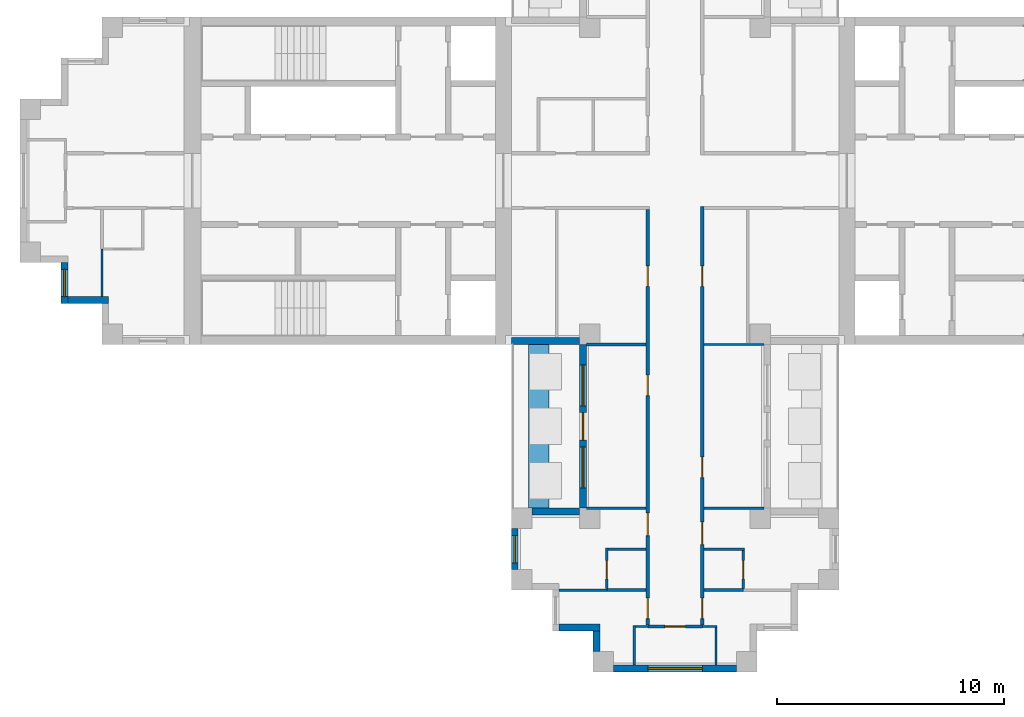
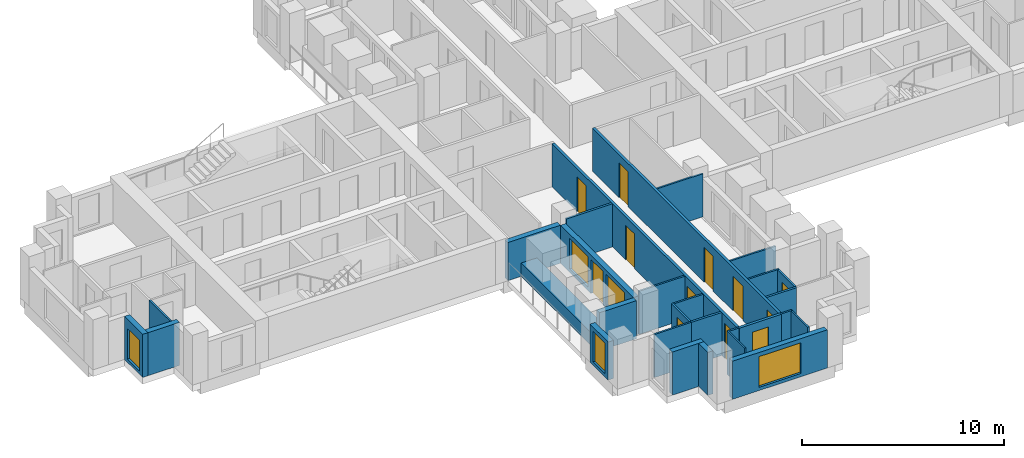
# One storey, part 2 of 10: 29 walls, 12 doors, 5 windows, 17 openings.
"""IFC4 building model written with IfcOpenShell, lengths in metres."""

from ifc_helpers import new_model, si_unit, direction, frame, frame_2d, origin, place, context, subcontext, project, spatial, rectangle, extrude, material, layer, layer_set, type_object, element, fill, save


model = new_model("IFC4")

# Units and contexts
model_context = context("Model", 3, precision=1e-05, world=origin(), true_north=direction((0.0, 1.0)))
body_context = subcontext(model_context, "Body", "Model", "MODEL_VIEW")
ifc_project = project(units=[si_unit("LENGTHUNIT", "METRE"), si_unit("AREAUNIT", "SQUARE_METRE"), si_unit("VOLUMEUNIT", "CUBIC_METRE"), si_unit("PLANEANGLEUNIT", "RADIAN"), si_unit("MASSUNIT", "GRAM", prefix="KILO")], contexts=[model_context])

# Site, building, storey
site_placement = place(None, origin())
site = spatial("IfcSite", under=ifc_project, at=site_placement, CompositionType="ELEMENT")
building_placement = place(site_placement, origin())
building = spatial("IfcBuilding", under=site, at=building_placement, Name="Fustian Cross Tower", CompositionType="ELEMENT")
storey_placement = place(building_placement, frame((0.0, 0.0, 228.89990234375)))
storey = spatial("IfcBuildingStorey", under=building, at=storey_placement, Name="L72", CompositionType="ELEMENT", Elevation=228.89990234375)

# Wall, openings, doors
ifc_material_1 = material(Name="Plasterboard on steel stud", Category="steel")
ifc_layer_1 = layer(ifc_material_1, 0.14990234375)
ifc_layer_set_1 = layer_set([ifc_layer_1], Name="Plasterboard on steel stud")
wall_type_1 = type_object("IfcWallType", Name="COMPARTMENT WALL 150 EI 60", PredefinedType="PARTITIONING", material=ifc_layer_set_1)
wall_1_placement = place(storey_placement, frame((-1.199951171875, -19.52490234375, 0.0), z_axis=(0.0, 0.0, 1.0), x_axis=(0.0, 1.0, 0.0)))
wall_1 = element("IfcWall", 1, at=wall_1_placement, inside=storey, type_object=wall_type_1, Name="Partition 35", PredefinedType="PARTITIONING", context=body_context, shape_type="SweptSolid", body=[
    extrude(rectangle(XDim=18.25, YDim=0.14990234375, at=frame_2d((9.125, 0.0))), origin(), (0.0, 0.0, 1.0), 2.60009765625),
])
opening_1_placement = place(wall_1_placement, frame((14.875, 0.0, 0.0)))
opening_1 = element("IfcOpeningElement", 2, at=opening_1_placement, cuts=wall_1, Name="Opening D32008", PredefinedType="OPENING", context=body_context, shape_type="SweptSolid", body=[
    extrude(rectangle(XDim=0.89990234375, YDim=2.10009765625, at=frame_2d((0.449951171875, 1.050048828125))), frame((0.0, 0.0849609375, 0.0), z_axis=(0.0, -1.0, 0.0), x_axis=(1.0, 0.0, 0.0)), (0.0, 0.0, 1.0), 0.169921875),
])
opening_2_placement = place(wall_1_placement, frame((10.074951171875, 0.0, 0.0)))
opening_2 = element("IfcOpeningElement", 3, at=opening_2_placement, cuts=wall_1, Name="Opening D32034", PredefinedType="OPENING", context=body_context, shape_type="SweptSolid", body=[
    extrude(rectangle(XDim=0.89990234375, YDim=2.10009765625, at=frame_2d((0.449951171875, 1.050048828125))), frame((0.0, 0.0849609375, 0.0), z_axis=(0.0, -1.0, 0.0), x_axis=(1.0, 0.0, 0.0)), (0.0, 0.0, 1.0), 0.169921875),
])
opening_3_placement = place(wall_1_placement, frame((3.925048828125, 0.0, 0.0)))
opening_3 = element("IfcOpeningElement", 4, at=opening_3_placement, cuts=wall_1, Name="Opening D32036", PredefinedType="OPENING", context=body_context, shape_type="SweptSolid", body=[
    extrude(rectangle(XDim=1.0, YDim=2.10009765625, at=frame_2d((0.5, 1.050048828125))), frame((0.0, 0.0849609375, 0.0), z_axis=(0.0, -1.0, 0.0), x_axis=(1.0, 0.0, 0.0)), (0.0, 0.0, 1.0), 0.169921875),
])
opening_4_placement = place(wall_1_placement, frame((0.27490234375, 0.0, 0.0)))
opening_4 = element("IfcOpeningElement", 5, at=opening_4_placement, cuts=wall_1, Name="Opening D32037", PredefinedType="OPENING", context=body_context, shape_type="SweptSolid", body=[
    extrude(rectangle(XDim=0.89990234375, YDim=2.10009765625, at=frame_2d((0.449951171875, 1.050048828125))), frame((0.0, 0.0849609375, 0.0), z_axis=(0.0, -1.0, 0.0), x_axis=(1.0, 0.0, 0.0)), (0.0, 0.0, 1.0), 0.169921875),
])
ifc_material_2 = material(Name="Timber fire door set", Category="wood")
door_type_1 = type_object("IfcDoorType", Name="FIRE SWING DOOR 1000 FD30S", OperationType="SINGLE_SWING_LEFT", PredefinedType="DOOR", material=ifc_material_2)
door_1_placement = place(opening_3_placement, origin())
door_1 = element("IfcDoor", 6, at=door_1_placement, inside=storey, type_object=door_type_1, Name="Door D32036", OperationType="SINGLE_SWING_RIGHT", OverallHeight=2.10009765625, OverallWidth=1.0, PredefinedType="DOOR", context=body_context, shape_type="SweptSolid", body=[
    extrude(rectangle(XDim=1.0, YDim=2.10009765625, at=frame_2d((0.5, 1.050048828125))), frame((0.0, 0.02490234375, 0.0), z_axis=(0.0, -1.0, 0.0), x_axis=(1.0, 0.0, 0.0)), (0.0, 0.0, 1.0), 0.050048828125),
])
fill(opening_3, door_1)
ifc_material_3 = material(Name="Timber fire door set", Category="wood")
door_type_2 = type_object("IfcDoorType", Name="FIRE SWING DOOR 900 FD30S", OperationType="SINGLE_SWING_LEFT", PredefinedType="DOOR", material=ifc_material_3)
door_2_placement = place(opening_1_placement, origin())
door_2 = element("IfcDoor", 7, at=door_2_placement, inside=storey, type_object=door_type_2, Name="Door D32008", OperationType="SINGLE_SWING_LEFT", OverallHeight=2.10009765625, OverallWidth=0.89990234375, PredefinedType="DOOR", context=body_context, shape_type="SweptSolid", body=[
    extrude(rectangle(XDim=0.89990234375, YDim=2.10009765625, at=frame_2d((0.449951171875, 1.050048828125))), frame((0.0, 0.02490234375, 0.0), z_axis=(0.0, -1.0, 0.0), x_axis=(1.0, 0.0, 0.0)), (0.0, 0.0, 1.0), 0.050048828125),
])
fill(opening_1, door_2)
door_3_placement = place(opening_2_placement, origin())
door_3 = element("IfcDoor", 8, at=door_3_placement, inside=storey, type_object=door_type_2, Name="Door D32034", OperationType="SINGLE_SWING_RIGHT", OverallHeight=2.10009765625, OverallWidth=0.89990234375, PredefinedType="DOOR", context=body_context, shape_type="SweptSolid", body=[
    extrude(rectangle(XDim=0.89990234375, YDim=2.10009765625, at=frame_2d((0.449951171875, 1.050048828125))), frame((0.0, 0.02490234375, 0.0), z_axis=(0.0, -1.0, 0.0), x_axis=(1.0, 0.0, 0.0)), (0.0, 0.0, 1.0), 0.050048828125),
])
fill(opening_2, door_3)
door_4_placement = place(opening_4_placement, origin())
door_4 = element("IfcDoor", 9, at=door_4_placement, inside=storey, type_object=door_type_2, Name="Door D32037", OperationType="SINGLE_SWING_LEFT", OverallHeight=2.10009765625, OverallWidth=0.89990234375, PredefinedType="DOOR", context=body_context, shape_type="SweptSolid", body=[
    extrude(rectangle(XDim=0.89990234375, YDim=2.10009765625, at=frame_2d((0.449951171875, 1.050048828125))), frame((0.0, 0.02490234375, 0.0), z_axis=(0.0, -1.0, 0.0), x_axis=(1.0, 0.0, 0.0)), (0.0, 0.0, 1.0), 0.050048828125),
])
fill(opening_4, door_4)

# Wall, opening, door
wall_2_placement = place(storey_placement, frame((-1.199951171875, -19.60009765625, 0.0), z_axis=(0.0, 0.0, 1.0), x_axis=(1.0, 0.0, 0.0)))
wall_2 = element("IfcWall", 10, at=wall_2_placement, inside=storey, type_object=wall_type_1, Name="Partition 36", PredefinedType="PARTITIONING", context=body_context, shape_type="SweptSolid", body=[
    extrude(rectangle(XDim=2.39990234375, YDim=0.14990234375, at=frame_2d((1.199951171875, 0.0))), origin(), (0.0, 0.0, 1.0), 2.60009765625),
])
opening_5_placement = place(wall_2_placement, frame((0.75, 0.0, 0.0)))
opening_5 = element("IfcOpeningElement", 11, at=opening_5_placement, cuts=wall_2, Name="Opening D32029", PredefinedType="OPENING", context=body_context, shape_type="SweptSolid", body=[
    extrude(rectangle(XDim=0.89990234375, YDim=2.10009765625, at=frame_2d((0.449951171875, 1.050048828125))), frame((0.0, 0.0849609375, 0.0), z_axis=(0.0, -1.0, 0.0), x_axis=(1.0, 0.0, 0.0)), (0.0, 0.0, 1.0), 0.169921875),
])
door_5_placement = place(opening_5_placement, frame((0.89990234375, 0.0, 0.0), z_axis=(0.0, 0.0, 1.0), x_axis=(-1.0, 0.0, 0.0)))
door_5 = element("IfcDoor", 12, at=door_5_placement, inside=storey, type_object=door_type_2, Name="Door D32029", OperationType="SINGLE_SWING_RIGHT", OverallHeight=2.10009765625, OverallWidth=0.89990234375, PredefinedType="DOOR", context=body_context, shape_type="SweptSolid", body=[
    extrude(rectangle(XDim=0.89990234375, YDim=2.10009765625, at=frame_2d((0.449951171875, 1.050048828125))), frame((0.0, 0.02490234375, 0.0), z_axis=(0.0, -1.0, 0.0), x_axis=(1.0, 0.0, 0.0)), (0.0, 0.0, 1.0), 0.050048828125),
])
fill(opening_5, door_5)

# Wall, openings, doors
wall_3_placement = place(storey_placement, frame((1.199951171875, -19.52490234375, 0.0), z_axis=(0.0, 0.0, 1.0), x_axis=(0.0, 1.0, 0.0)))
wall_3 = element("IfcWall", 13, at=wall_3_placement, inside=storey, type_object=wall_type_1, Name="Partition 39", PredefinedType="PARTITIONING", context=body_context, shape_type="SweptSolid", body=[
    extrude(rectangle(XDim=18.39990234375, YDim=0.14990234375, at=frame_2d((9.199951171875, 0.0))), origin(), (0.0, 0.0, 1.0), 2.60009765625),
])
opening_6_placement = place(wall_3_placement, frame((14.875, 0.0, 0.0)))
opening_6 = element("IfcOpeningElement", 14, at=opening_6_placement, cuts=wall_3, Name="Opening D32006", PredefinedType="OPENING", context=body_context, shape_type="SweptSolid", body=[
    extrude(rectangle(XDim=0.89990234375, YDim=2.10009765625, at=frame_2d((0.449951171875, 1.050048828125))), frame((0.0, 0.0849609375, 0.0), z_axis=(0.0, -1.0, 0.0), x_axis=(1.0, 0.0, 0.0)), (0.0, 0.0, 1.0), 0.169921875),
])
opening_7_placement = place(wall_3_placement, frame((6.47509765625, 0.0, 0.0)))
opening_7 = element("IfcOpeningElement", 15, at=opening_7_placement, cuts=wall_3, Name="Opening D32030", PredefinedType="OPENING", context=body_context, shape_type="SweptSolid", body=[
    extrude(rectangle(XDim=0.89990234375, YDim=2.10009765625, at=frame_2d((0.449951171875, 1.050048828125))), frame((0.0, 0.0849609375, 0.0), z_axis=(0.0, -1.0, 0.0), x_axis=(1.0, 0.0, 0.0)), (0.0, 0.0, 1.0), 0.169921875),
])
opening_8_placement = place(wall_3_placement, frame((3.52490234375, 0.0, 0.0)))
opening_8 = element("IfcOpeningElement", 16, at=opening_8_placement, cuts=wall_3, Name="Opening D32032", PredefinedType="OPENING", context=body_context, shape_type="SweptSolid", body=[
    extrude(rectangle(XDim=1.0, YDim=2.10009765625, at=frame_2d((0.5, 1.050048828125))), frame((0.0, 0.0849609375, 0.0), z_axis=(0.0, -1.0, 0.0), x_axis=(1.0, 0.0, 0.0)), (0.0, 0.0, 1.0), 0.169921875),
])
opening_9_placement = place(wall_3_placement, frame((0.27490234375, 0.0, 0.0)))
opening_9 = element("IfcOpeningElement", 17, at=opening_9_placement, cuts=wall_3, Name="Opening D32033", PredefinedType="OPENING", context=body_context, shape_type="SweptSolid", body=[
    extrude(rectangle(XDim=0.89990234375, YDim=2.10009765625, at=frame_2d((0.449951171875, 1.050048828125))), frame((0.0, 0.0849609375, 0.0), z_axis=(0.0, -1.0, 0.0), x_axis=(1.0, 0.0, 0.0)), (0.0, 0.0, 1.0), 0.169921875),
])
door_6_placement = place(opening_8_placement, frame((1.0, 0.0, 0.0), z_axis=(0.0, 0.0, 1.0), x_axis=(-1.0, 0.0, 0.0)))
door_6 = element("IfcDoor", 18, at=door_6_placement, inside=storey, type_object=door_type_1, Name="Door D32032", OperationType="SINGLE_SWING_RIGHT", OverallHeight=2.10009765625, OverallWidth=1.0, PredefinedType="DOOR", context=body_context, shape_type="SweptSolid", body=[
    extrude(rectangle(XDim=1.0, YDim=2.10009765625, at=frame_2d((0.5, 1.050048828125))), frame((0.0, 0.02490234375, 0.0), z_axis=(0.0, -1.0, 0.0), x_axis=(1.0, 0.0, 0.0)), (0.0, 0.0, 1.0), 0.050048828125),
])
fill(opening_8, door_6)
door_7_placement = place(opening_6_placement, frame((0.89990234375, 0.0, 0.0), z_axis=(0.0, 0.0, 1.0), x_axis=(-1.0, 0.0, 0.0)))
door_7 = element("IfcDoor", 19, at=door_7_placement, inside=storey, type_object=door_type_2, Name="Door D32006", OperationType="SINGLE_SWING_RIGHT", OverallHeight=2.10009765625, OverallWidth=0.89990234375, PredefinedType="DOOR", context=body_context, shape_type="SweptSolid", body=[
    extrude(rectangle(XDim=0.89990234375, YDim=2.10009765625, at=frame_2d((0.449951171875, 1.050048828125))), frame((0.0, 0.02490234375, 0.0), z_axis=(0.0, -1.0, 0.0), x_axis=(1.0, 0.0, 0.0)), (0.0, 0.0, 1.0), 0.050048828125),
])
fill(opening_6, door_7)
door_8_placement = place(opening_7_placement, frame((0.89990234375, 0.0, 0.0), z_axis=(0.0, 0.0, 1.0), x_axis=(-1.0, 0.0, 0.0)))
door_8 = element("IfcDoor", 20, at=door_8_placement, inside=storey, type_object=door_type_2, Name="Door D32030", OperationType="SINGLE_SWING_RIGHT", OverallHeight=2.10009765625, OverallWidth=0.89990234375, PredefinedType="DOOR", context=body_context, shape_type="SweptSolid", body=[
    extrude(rectangle(XDim=0.89990234375, YDim=2.10009765625, at=frame_2d((0.449951171875, 1.050048828125))), frame((0.0, 0.02490234375, 0.0), z_axis=(0.0, -1.0, 0.0), x_axis=(1.0, 0.0, 0.0)), (0.0, 0.0, 1.0), 0.050048828125),
])
fill(opening_7, door_8)
door_9_placement = place(opening_9_placement, frame((0.89990234375, 0.0, 0.0), z_axis=(0.0, 0.0, 1.0), x_axis=(-1.0, 0.0, 0.0)))
door_9 = element("IfcDoor", 21, at=door_9_placement, inside=storey, type_object=door_type_2, Name="Door D32033", OperationType="SINGLE_SWING_RIGHT", OverallHeight=2.10009765625, OverallWidth=0.89990234375, PredefinedType="DOOR", context=body_context, shape_type="SweptSolid", body=[
    extrude(rectangle(XDim=0.89990234375, YDim=2.10009765625, at=frame_2d((0.449951171875, 1.050048828125))), frame((0.0, 0.02490234375, 0.0), z_axis=(0.0, -1.0, 0.0), x_axis=(1.0, 0.0, 0.0)), (0.0, 0.0, 1.0), 0.050048828125),
])
fill(opening_9, door_9)

# Walls
ifc_material_4 = material(Name="Plasterboard on steel stud", Category="steel")
ifc_layer_2 = layer(ifc_material_4, 0.10009765625)
ifc_layer_set_2 = layer_set([ifc_layer_2], Name="Plasterboard on steel stud")
wall_type_2 = type_object("IfcWallType", Name="PARTITION 100 STUD", PredefinedType="PARTITIONING", material=ifc_layer_set_2)
for number, where, z_axis, x_axis, name in (
    (22, (-25.199951171875, -5.10009765625, 0.0), (0.0, 0.0, 1.0), (0.0, 1.0, 0.0), "Partition 8"),
    (23, (-5.10009765625, -18.0, 0.0), (0.0, 0.0, 1.0), (1.0, 0.0, 0.0), "Partition 17"),
):
    element("IfcWall", number, at=place(storey_placement, frame(where, z_axis=z_axis, x_axis=x_axis)), inside=storey, type_object=wall_type_2, Name=name, PredefinedType="PARTITIONING", context=body_context, shape_type="SweptSolid", body=[
        extrude(rectangle(XDim=2.10009765625, YDim=0.10009765625, at=frame_2d((1.050048828125, 0.0))), origin(), (0.0, 0.0, 1.0), 2.60009765625),
    ])
wall_4_placement = place(storey_placement, frame((-3.89990234375, -14.39990234375, 0.0), z_axis=(0.0, 0.0, 1.0), x_axis=(1.0, 0.0, 0.0)))
element("IfcWall", 24, at=wall_4_placement, inside=storey, type_object=wall_type_2, Name="Partition 19", PredefinedType="PARTITIONING", context=body_context, shape_type="SweptSolid", body=[
    extrude(rectangle(XDim=2.625, YDim=0.10009765625, at=frame_2d((1.3125, 0.0))), origin(), (0.0, 0.0, 1.0), 2.60009765625),
])

# Wall, opening, door
wall_5_placement = place(storey_placement, frame((-3.0, -17.9375, 0.0), z_axis=(0.0, 0.0, 1.0), x_axis=(0.0, 1.0, 0.0)))
wall_5 = element("IfcWall", 25, at=wall_5_placement, inside=storey, type_object=wall_type_2, Name="Partition 25", PredefinedType="PARTITIONING", context=body_context, shape_type="SweptSolid", body=[
    extrude(rectangle(XDim=1.78759765625, YDim=0.10009765625, at=frame_2d((0.893798828125, 0.0))), origin(), (0.0, 0.0, 1.0), 2.60009765625),
])
opening_10_placement = place(wall_5_placement, frame((0.4375, 0.0, 0.0)))
opening_10 = element("IfcOpeningElement", 26, at=opening_10_placement, cuts=wall_5, Name="Opening D32035", PredefinedType="OPENING", context=body_context, shape_type="SweptSolid", body=[
    extrude(rectangle(XDim=0.800048828125, YDim=2.10009765625, at=frame_2d((0.39990234375, 1.050048828125))), frame((0.0, 0.06005859375, 0.0), z_axis=(0.0, -1.0, 0.0), x_axis=(1.0, 0.0, 0.0)), (0.0, 0.0, 1.0), 0.1201171875),
])
ifc_material_5 = material(Name="Painted timber", Category="wood")
door_type_3 = type_object("IfcDoorType", Name="SWING DOOR 800", OperationType="SINGLE_SWING_LEFT", PredefinedType="DOOR", material=ifc_material_5)
door_10_placement = place(opening_10_placement, frame((0.800048828125, 0.0, 0.0), z_axis=(0.0, 0.0, 1.0), x_axis=(-1.0, 0.0, 0.0)))
door_10 = element("IfcDoor", 27, at=door_10_placement, inside=storey, type_object=door_type_3, Name="Door D32035", OperationType="SINGLE_SWING_LEFT", OverallHeight=2.10009765625, OverallWidth=0.800048828125, PredefinedType="DOOR", context=body_context, shape_type="SweptSolid", body=[
    extrude(rectangle(XDim=0.800048828125, YDim=2.10009765625, at=frame_2d((0.39990234375, 1.050048828125))), frame((0.0, 0.02490234375, 0.0), z_axis=(0.0, -1.0, 0.0), x_axis=(1.0, 0.0, 0.0)), (0.0, 0.0, 1.0), 0.050048828125),
])
fill(opening_10, door_10)

# Walls
wall_6_placement = place(storey_placement, frame((-2.949951171875, -16.199951171875, 0.0), z_axis=(0.0, 0.0, 1.0), x_axis=(1.0, 0.0, 0.0)))
element("IfcWall", 28, at=wall_6_placement, inside=storey, type_object=wall_type_2, Name="Partition 27", PredefinedType="PARTITIONING", context=body_context, shape_type="SweptSolid", body=[
    extrude(rectangle(XDim=1.675048828125, YDim=0.10009765625, at=frame_2d((0.83740234375, 0.0))), origin(), (0.0, 0.0, 1.0), 2.60009765625),
])
wall_7_placement = place(storey_placement, frame((-1.800048828125, -21.300048828125, 0.0), z_axis=(0.0, 0.0, 1.0), x_axis=(0.0, 1.0, 0.0)))
element("IfcWall", 29, at=wall_7_placement, inside=storey, type_object=wall_type_2, Name="Partition 31", PredefinedType="PARTITIONING", context=body_context, shape_type="SweptSolid", body=[
    extrude(rectangle(XDim=1.75, YDim=0.10009765625, at=frame_2d((0.875, 0.0))), origin(), (0.0, 0.0, 1.0), 2.60009765625),
])
wall_8_placement = place(storey_placement, frame((-1.75, -19.60009765625, 0.0), z_axis=(0.0, 0.0, 1.0), x_axis=(1.0, 0.0, 0.0)))
element("IfcWall", 30, at=wall_8_placement, inside=storey, type_object=wall_type_2, Name="Partition 32", PredefinedType="PARTITIONING", context=body_context, shape_type="SweptSolid", body=[
    extrude(rectangle(XDim=0.550048828125, YDim=0.10009765625, at=frame_2d((0.27490234375, 0.0))), origin(), (0.0, 0.0, 1.0), 2.60009765625),
])
wall_9_placement = place(storey_placement, frame((1.199951171875, -19.60009765625, 0.0), z_axis=(0.0, 0.0, 1.0), x_axis=(1.0, 0.0, 0.0)))
element("IfcWall", 31, at=wall_9_placement, inside=storey, type_object=wall_type_2, Name="Partition 40", PredefinedType="PARTITIONING", context=body_context, shape_type="SweptSolid", body=[
    extrude(rectangle(XDim=0.650146484375, YDim=0.10009765625, at=frame_2d((0.3251953125, 0.0))), origin(), (0.0, 0.0, 1.0), 2.60009765625),
])
wall_10_placement = place(storey_placement, frame((1.27490234375, -16.199951171875, 0.0), z_axis=(0.0, 0.0, 1.0), x_axis=(1.0, 0.0, 0.0)))
element("IfcWall", 32, at=wall_10_placement, inside=storey, type_object=wall_type_2, Name="Partition 42", PredefinedType="PARTITIONING", context=body_context, shape_type="SweptSolid", body=[
    extrude(rectangle(XDim=1.775146484375, YDim=0.10009765625, at=frame_2d((0.8876953125, 0.0))), origin(), (0.0, 0.0, 1.0), 2.60009765625),
])
for number, where, z_axis, x_axis, name in (
    (33, (1.27490234375, -14.39990234375, 0.0), (0.0, 0.0, 1.0), (1.0, 0.0, 0.0), "Partition 43"),
    (34, (1.27490234375, -7.199951171875, 0.0), (0.0, 0.0, 1.0), (1.0, 0.0, 0.0), "Partition 44"),
):
    element("IfcWall", number, at=place(storey_placement, frame(where, z_axis=z_axis, x_axis=x_axis)), inside=storey, type_object=wall_type_2, Name=name, PredefinedType="PARTITIONING", context=body_context, shape_type="SweptSolid", body=[
        extrude(rectangle(XDim=2.625, YDim=0.10009765625, at=frame_2d((1.3125, 0.0))), origin(), (0.0, 0.0, 1.0), 2.60009765625),
    ])
wall_11_placement = place(storey_placement, frame((1.800048828125, -21.300048828125, 0.0), z_axis=(0.0, 0.0, 1.0), x_axis=(0.0, 1.0, 0.0)))
element("IfcWall", 35, at=wall_11_placement, inside=storey, type_object=wall_type_2, Name="Partition 53", PredefinedType="PARTITIONING", context=body_context, shape_type="SweptSolid", body=[
    extrude(rectangle(XDim=1.650146484375, YDim=0.10009765625, at=frame_2d((0.8251953125, 0.0))), origin(), (0.0, 0.0, 1.0), 2.60009765625),
])

# Wall, opening, door
wall_12_placement = place(storey_placement, frame((3.0, -17.9375, 0.0), z_axis=(0.0, 0.0, 1.0), x_axis=(0.0, 1.0, 0.0)))
wall_12 = element("IfcWall", 36, at=wall_12_placement, inside=storey, type_object=wall_type_2, Name="Partition 55", PredefinedType="PARTITIONING", context=body_context, shape_type="SweptSolid", body=[
    extrude(rectangle(XDim=1.6875, YDim=0.10009765625, at=frame_2d((0.84375, 0.0))), origin(), (0.0, 0.0, 1.0), 2.60009765625),
])
opening_11_placement = place(wall_12_placement, frame((0.4375, 0.0, 0.0)))
opening_11 = element("IfcOpeningElement", 37, at=opening_11_placement, cuts=wall_12, Name="Opening D32031", PredefinedType="OPENING", context=body_context, shape_type="SweptSolid", body=[
    extrude(rectangle(XDim=0.800048828125, YDim=2.10009765625, at=frame_2d((0.39990234375, 1.050048828125))), frame((0.0, 0.06005859375, 0.0), z_axis=(0.0, -1.0, 0.0), x_axis=(1.0, 0.0, 0.0)), (0.0, 0.0, 1.0), 0.1201171875),
])
door_11_placement = place(opening_11_placement, origin())
door_11 = element("IfcDoor", 38, at=door_11_placement, inside=storey, type_object=door_type_3, Name="Door D32031", OperationType="SINGLE_SWING_RIGHT", OverallHeight=2.10009765625, OverallWidth=0.800048828125, PredefinedType="DOOR", context=body_context, shape_type="SweptSolid", body=[
    extrude(rectangle(XDim=0.800048828125, YDim=2.10009765625, at=frame_2d((0.39990234375, 1.050048828125))), frame((0.0, 0.02490234375, 0.0), z_axis=(0.0, -1.0, 0.0), x_axis=(1.0, 0.0, 0.0)), (0.0, 0.0, 1.0), 0.050048828125),
])
fill(opening_11, door_11)

# Walls
ifc_material_6 = material(Name="Concrete C40/50", Category="concrete")
ifc_layer_3 = layer(ifc_material_6, 0.89990234375)
ifc_layer_set_3 = layer_set([ifc_layer_3], Name="Concrete C40/50")
wall_type_3 = type_object("IfcWallType", Name="PK1 PLANTER 900", PredefinedType="PARAPET", material=ifc_layer_set_3)
wall_13_placement = place(storey_placement, frame((-6.0, -14.39990234375, 0.0), z_axis=(0.0, 0.0, 1.0), x_axis=(0.0, 1.0, 0.0)))
element("IfcWall", 39, at=wall_13_placement, inside=storey, type_object=wall_type_3, Name="PLANTER", PredefinedType="PARAPET", context=body_context, shape_type="SweptSolid", body=[
    extrude(rectangle(XDim=7.199951171875, YDim=0.89990234375, at=frame_2d((3.60009765625, 0.0))), origin(), (0.0, 0.0, 1.0), 0.800048828125),
])
ifc_material_7 = material(Name="Plasterboard on steel stud", Category="steel")
ifc_layer_4 = layer(ifc_material_7, 0.125)
ifc_layer_set_4 = layer_set([ifc_layer_4], Name="Plasterboard on steel stud")
wall_type_4 = type_object("IfcWallType", Name="WET WALL 125 STUD", PredefinedType="PARTITIONING", material=ifc_layer_set_4)
wall_14_placement = place(storey_placement, frame((-3.89990234375, -7.199951171875, 0.0), z_axis=(0.0, 0.0, 1.0), x_axis=(1.0, 0.0, 0.0)))
element("IfcWall", 40, at=wall_14_placement, inside=storey, type_object=wall_type_4, Name="Partition 20", PredefinedType="PARTITIONING", context=body_context, shape_type="SweptSolid", body=[
    extrude(rectangle(XDim=2.625, YDim=0.125, at=frame_2d((1.3125, 0.0))), origin(), (0.0, 0.0, 1.0), 2.60009765625),
])
for number, where, z_axis, x_axis, name in (
    (41, (-3.0, -18.0, 0.0), (0.0, 0.0, 1.0), (1.0, 0.0, 0.0), "Partition 26"),
    (42, (1.27490234375, -18.0, 0.0), (0.0, 0.0, 1.0), (1.0, 0.0, 0.0), "Partition 41"),
):
    element("IfcWall", number, at=place(storey_placement, frame(where, z_axis=z_axis, x_axis=x_axis)), inside=storey, type_object=wall_type_4, Name=name, PredefinedType="PARTITIONING", context=body_context, shape_type="SweptSolid", body=[
        extrude(rectangle(XDim=1.72509765625, YDim=0.125, at=frame_2d((0.862548828125, 0.0))), origin(), (0.0, 0.0, 1.0), 2.60009765625),
    ])

# Wall, opening, window
ifc_material_8 = material(Name="Dark aluminium cladding on insulated backing wall", Category="aluminium")
ifc_layer_5 = layer(ifc_material_8, 0.300048828125)
ifc_layer_set_5 = layer_set([ifc_layer_5], Name="Dark aluminium cladding on insulated backing wall")
wall_type_5 = type_object("IfcWallType", Name="XW1 EXTERNAL WALL 300", PredefinedType="SOLIDWALL", material=ifc_layer_set_5)
wall_15_placement = place(storey_placement, frame((-26.85009765625, -3.60009765625, 0.0), z_axis=(0.0, 0.0, 1.0), x_axis=(0.0, -1.0, 0.0)))
wall_15 = element("IfcWall", 43, at=wall_15_placement, inside=storey, type_object=wall_type_5, Name="External wall", PredefinedType="SOLIDWALL", context=body_context, shape_type="SweptSolid", body=[
    extrude(rectangle(XDim=1.7998046875, YDim=0.300048828125, at=frame_2d((0.89990234375, 0.0))), origin(), (0.0, 0.0, 1.0), 2.60009765625),
])
opening_12_placement = place(wall_15_placement, frame((0.300048828125, 0.0, 0.199951171875)))
opening_12 = element("IfcOpeningElement", 44, at=opening_12_placement, cuts=wall_15, Name="Opening WN3", PredefinedType="OPENING", context=body_context, shape_type="SweptSolid", body=[
    extrude(rectangle(XDim=1.199951171875, YDim=1.85009765625, at=frame_2d((0.60009765625, 0.925048828125))), frame((0.0, 0.159912109375, 0.0), z_axis=(0.0, -1.0, 0.0), x_axis=(1.0, 0.0, 0.0)), (0.0, 0.0, 1.0), 0.320068359375),
])
ifc_material_9 = material(Name="Dark anodised aluminium and double glazing", Category="aluminium")
window_type_1 = type_object("IfcWindowType", Name="WN3 WINDOW 1200X1850", PartitioningType="SINGLE_PANEL", PredefinedType="WINDOW", material=ifc_material_9)
window_1_placement = place(opening_12_placement, origin())
window_1 = element("IfcWindow", 45, at=window_1_placement, inside=storey, type_object=window_type_1, Name="Window", OverallHeight=1.85009765625, OverallWidth=1.199951171875, PartitioningType="SINGLE_PANEL", PredefinedType="WINDOW", context=body_context, shape_type="SweptSolid", body=[
    extrude(rectangle(XDim=1.199951171875, YDim=1.85009765625, at=frame_2d((0.60009765625, 0.925048828125))), frame((0.0, 0.030029296875, 0.0), z_axis=(0.0, -1.0, 0.0), x_axis=(1.0, 0.0, 0.0)), (0.0, 0.0, 1.0), 0.06005859375),
])
fill(opening_12, window_1)

# Walls
wall_16_placement = place(storey_placement, frame((-26.699951171875, -5.25, 0.0), z_axis=(0.0, 0.0, 1.0), x_axis=(1.0, 0.0, 0.0)))
element("IfcWall", 46, at=wall_16_placement, inside=storey, type_object=wall_type_5, Name="External wall", PredefinedType="SOLIDWALL", context=body_context, shape_type="SweptSolid", body=[
    extrude(rectangle(XDim=1.800048828125, YDim=0.300048828125, at=frame_2d((0.89990234375, 0.0))), origin(), (0.0, 0.0, 1.0), 2.60009765625),
])
wall_17_placement = place(storey_placement, frame((-7.199951171875, -7.050048828125, 0.0), z_axis=(0.0, 0.0, 1.0), x_axis=(1.0, 0.0, 0.0)))
element("IfcWall", 47, at=wall_17_placement, inside=storey, type_object=wall_type_5, Name="External wall", PredefinedType="SOLIDWALL", context=body_context, shape_type="SweptSolid", body=[
    extrude(rectangle(XDim=3.0, YDim=0.300048828125, at=frame_2d((1.5, 0.0))), origin(), (0.0, 0.0, 1.0), 2.300048828125),
])

# Wall, openings, door, windows
wall_18_placement = place(storey_placement, frame((-4.050048828125, -7.199951171875, 0.0), z_axis=(0.0, 0.0, 1.0), x_axis=(0.0, -1.0, 0.0)))
wall_18 = element("IfcWall", 48, at=wall_18_placement, inside=storey, type_object=wall_type_5, Name="External wall", PredefinedType="SOLIDWALL", context=body_context, shape_type="SweptSolid", body=[
    extrude(rectangle(XDim=7.199951171875, YDim=0.300048828125, at=frame_2d((3.60009765625, 0.0))), origin(), (0.0, 0.0, 1.0), 2.300048828125),
])
opening_13_placement = place(wall_18_placement, frame((3.0, 0.0, 0.0)))
opening_13 = element("IfcOpeningElement", 49, at=opening_13_placement, cuts=wall_18, Name="Opening XD4", PredefinedType="OPENING", context=body_context, shape_type="SweptSolid", body=[
    extrude(rectangle(XDim=1.199951171875, YDim=2.050048828125, at=frame_2d((0.60009765625, 1.02490234375))), frame((0.0, 0.159912109375, 0.0), z_axis=(0.0, -1.0, 0.0), x_axis=(1.0, 0.0, 0.0)), (0.0, 0.0, 1.0), 0.320068359375),
])
opening_14_placement = place(wall_18_placement, frame((0.89990234375, 0.0, 0.199951171875)))
opening_14 = element("IfcOpeningElement", 50, at=opening_14_placement, cuts=wall_18, Name="Opening WN2", PredefinedType="OPENING", context=body_context, shape_type="SweptSolid", body=[
    extrude(rectangle(XDim=1.800048828125, YDim=1.85009765625, at=frame_2d((0.89990234375, 0.925048828125))), frame((0.0, 0.159912109375, 0.0), z_axis=(0.0, -1.0, 0.0), x_axis=(1.0, 0.0, 0.0)), (0.0, 0.0, 1.0), 0.320068359375),
])
opening_15_placement = place(wall_18_placement, frame((4.5, 0.0, 0.199951171875)))
opening_15 = element("IfcOpeningElement", 51, at=opening_15_placement, cuts=wall_18, Name="Opening WN2", PredefinedType="OPENING", context=body_context, shape_type="SweptSolid", body=[
    extrude(rectangle(XDim=1.800048828125, YDim=1.85009765625, at=frame_2d((0.89990234375, 0.925048828125))), frame((0.0, 0.159912109375, 0.0), z_axis=(0.0, -1.0, 0.0), x_axis=(1.0, 0.0, 0.0)), (0.0, 0.0, 1.0), 0.320068359375),
])
ifc_material_10 = material(Name="Dark anodised aluminium and double glazing", Category="aluminium")
door_type_4 = type_object("IfcDoorType", Name="ED1 BALCONY DOOR 1200X2050", OperationType="SINGLE_SWING_LEFT", PredefinedType="DOOR", material=ifc_material_10)
door_12_placement = place(opening_13_placement, origin())
door_12 = element("IfcDoor", 52, at=door_12_placement, inside=storey, type_object=door_type_4, Name="Balcony door", OperationType="SINGLE_SWING_LEFT", OverallHeight=2.050048828125, OverallWidth=1.199951171875, PredefinedType="DOOR", context=body_context, shape_type="SweptSolid", body=[
    extrude(rectangle(XDim=1.199951171875, YDim=2.050048828125, at=frame_2d((0.60009765625, 1.02490234375))), frame((0.0, 0.02490234375, 0.0), z_axis=(0.0, -1.0, 0.0), x_axis=(1.0, 0.0, 0.0)), (0.0, 0.0, 1.0), 0.050048828125),
])
fill(opening_13, door_12)
ifc_material_11 = material(Name="Dark anodised aluminium and double glazing", Category="aluminium")
window_type_2 = type_object("IfcWindowType", Name="WN2 WINDOW 1800X1850", PartitioningType="SINGLE_PANEL", PredefinedType="WINDOW", material=ifc_material_11)
window_2_placement = place(opening_14_placement, origin())
window_2 = element("IfcWindow", 53, at=window_2_placement, inside=storey, type_object=window_type_2, Name="Window", OverallHeight=1.85009765625, OverallWidth=1.800048828125, PartitioningType="SINGLE_PANEL", PredefinedType="WINDOW", context=body_context, shape_type="SweptSolid", body=[
    extrude(rectangle(XDim=1.800048828125, YDim=1.85009765625, at=frame_2d((0.89990234375, 0.925048828125))), frame((0.0, 0.030029296875, 0.0), z_axis=(0.0, -1.0, 0.0), x_axis=(1.0, 0.0, 0.0)), (0.0, 0.0, 1.0), 0.06005859375),
])
fill(opening_14, window_2)
window_3_placement = place(opening_15_placement, origin())
window_3 = element("IfcWindow", 54, at=window_3_placement, inside=storey, type_object=window_type_2, Name="Window", OverallHeight=1.85009765625, OverallWidth=1.800048828125, PartitioningType="SINGLE_PANEL", PredefinedType="WINDOW", context=body_context, shape_type="SweptSolid", body=[
    extrude(rectangle(XDim=1.800048828125, YDim=1.85009765625, at=frame_2d((0.89990234375, 0.925048828125))), frame((0.0, 0.030029296875, 0.0), z_axis=(0.0, -1.0, 0.0), x_axis=(1.0, 0.0, 0.0)), (0.0, 0.0, 1.0), 0.06005859375),
])
fill(opening_15, window_3)

# Wall
wall_19_placement = place(storey_placement, frame((-4.199951171875, -14.550048828125, 0.0), z_axis=(0.0, 0.0, 1.0), x_axis=(-1.0, 0.0, 0.0)))
element("IfcWall", 55, at=wall_19_placement, inside=storey, type_object=wall_type_5, Name="External wall", PredefinedType="SOLIDWALL", context=body_context, shape_type="SweptSolid", body=[
    extrude(rectangle(XDim=2.10009765625, YDim=0.300048828125, at=frame_2d((1.050048828125, 0.0))), origin(), (0.0, 0.0, 1.0), 2.300048828125),
])

# Wall, opening, window
wall_20_placement = place(storey_placement, frame((-7.050048828125, -15.300048828125, 0.0), z_axis=(0.0, 0.0, 1.0), x_axis=(0.0, -1.0, 0.0)))
wall_20 = element("IfcWall", 56, at=wall_20_placement, inside=storey, type_object=wall_type_5, Name="External wall", PredefinedType="SOLIDWALL", context=body_context, shape_type="SweptSolid", body=[
    extrude(rectangle(XDim=1.800048828125, YDim=0.300048828125, at=frame_2d((0.89990234375, 0.0))), origin(), (0.0, 0.0, 1.0), 2.300048828125),
])
opening_16_placement = place(wall_20_placement, frame((0.300048828125, 0.0, 0.199951171875)))
opening_16 = element("IfcOpeningElement", 57, at=opening_16_placement, cuts=wall_20, Name="Opening WN3", PredefinedType="OPENING", context=body_context, shape_type="SweptSolid", body=[
    extrude(rectangle(XDim=1.199951171875, YDim=1.85009765625, at=frame_2d((0.60009765625, 0.925048828125))), frame((0.0, 0.159912109375, 0.0), z_axis=(0.0, -1.0, 0.0), x_axis=(1.0, 0.0, 0.0)), (0.0, 0.0, 1.0), 0.320068359375),
])
window_4_placement = place(opening_16_placement, origin())
window_4 = element("IfcWindow", 58, at=window_4_placement, inside=storey, type_object=window_type_1, Name="Window", OverallHeight=1.85009765625, OverallWidth=1.199951171875, PartitioningType="SINGLE_PANEL", PredefinedType="WINDOW", context=body_context, shape_type="SweptSolid", body=[
    extrude(rectangle(XDim=1.199951171875, YDim=1.85009765625, at=frame_2d((0.60009765625, 0.925048828125))), frame((0.0, 0.030029296875, 0.0), z_axis=(0.0, -1.0, 0.0), x_axis=(1.0, 0.0, 0.0)), (0.0, 0.0, 1.0), 0.06005859375),
])
fill(opening_16, window_4)

# Walls
wall_21_placement = place(storey_placement, frame((-5.10009765625, -19.64990234375, 0.0), z_axis=(0.0, 0.0, 1.0), x_axis=(1.0, 0.0, 0.0)))
element("IfcWall", 59, at=wall_21_placement, inside=storey, type_object=wall_type_5, Name="External wall", PredefinedType="SOLIDWALL", context=body_context, shape_type="SweptSolid", body=[
    extrude(rectangle(XDim=1.800048828125, YDim=0.300048828125, at=frame_2d((0.89990234375, 0.0))), origin(), (0.0, 0.0, 1.0), 2.60009765625),
])
wall_22_placement = place(storey_placement, frame((-3.449951171875, -19.800048828125, 0.0), z_axis=(0.0, 0.0, 1.0), x_axis=(0.0, -1.0, 0.0)))
element("IfcWall", 60, at=wall_22_placement, inside=storey, type_object=wall_type_5, Name="External wall", PredefinedType="SOLIDWALL", context=body_context, shape_type="SweptSolid", body=[
    extrude(rectangle(XDim=0.89990234375, YDim=0.300048828125, at=frame_2d((0.449951171875, 0.0))), origin(), (0.0, 0.0, 1.0), 2.60009765625),
])

# Wall, opening, window
wall_23_placement = place(storey_placement, frame((-2.699951171875, -21.449951171875, 0.0), z_axis=(0.0, 0.0, 1.0), x_axis=(1.0, 0.0, 0.0)))
wall_23 = element("IfcWall", 61, at=wall_23_placement, inside=storey, type_object=wall_type_5, Name="External wall", PredefinedType="SOLIDWALL", context=body_context, shape_type="SweptSolid", body=[
    extrude(rectangle(XDim=5.39990234375, YDim=0.300048828125, at=frame_2d((2.699951171875, 0.0))), origin(), (0.0, 0.0, 1.0), 2.300048828125),
])
opening_17_placement = place(wall_23_placement, frame((1.5, 0.0, 0.199951171875)))
opening_17 = element("IfcOpeningElement", 62, at=opening_17_placement, cuts=wall_23, Name="Opening WN1", PredefinedType="OPENING", context=body_context, shape_type="SweptSolid", body=[
    extrude(rectangle(XDim=2.39990234375, YDim=1.85009765625, at=frame_2d((1.199951171875, 0.925048828125))), frame((0.0, 0.159912109375, 0.0), z_axis=(0.0, -1.0, 0.0), x_axis=(1.0, 0.0, 0.0)), (0.0, 0.0, 1.0), 0.320068359375),
])
ifc_material_12 = material(Name="Dark anodised aluminium and double glazing", Category="aluminium")
window_type_3 = type_object("IfcWindowType", Name="WN1 WINDOW 2400X1850", PartitioningType="SINGLE_PANEL", PredefinedType="WINDOW", material=ifc_material_12)
window_5_placement = place(opening_17_placement, origin())
window_5 = element("IfcWindow", 63, at=window_5_placement, inside=storey, type_object=window_type_3, Name="Window", OverallHeight=1.85009765625, OverallWidth=2.39990234375, PartitioningType="SINGLE_PANEL", PredefinedType="WINDOW", context=body_context, shape_type="SweptSolid", body=[
    extrude(rectangle(XDim=2.39990234375, YDim=1.85009765625, at=frame_2d((1.199951171875, 0.925048828125))), frame((0.0, 0.030029296875, 0.0), z_axis=(0.0, -1.0, 0.0), x_axis=(1.0, 0.0, 0.0)), (0.0, 0.0, 1.0), 0.06005859375),
])
fill(opening_17, window_5)

save(model, "model.ifc")
